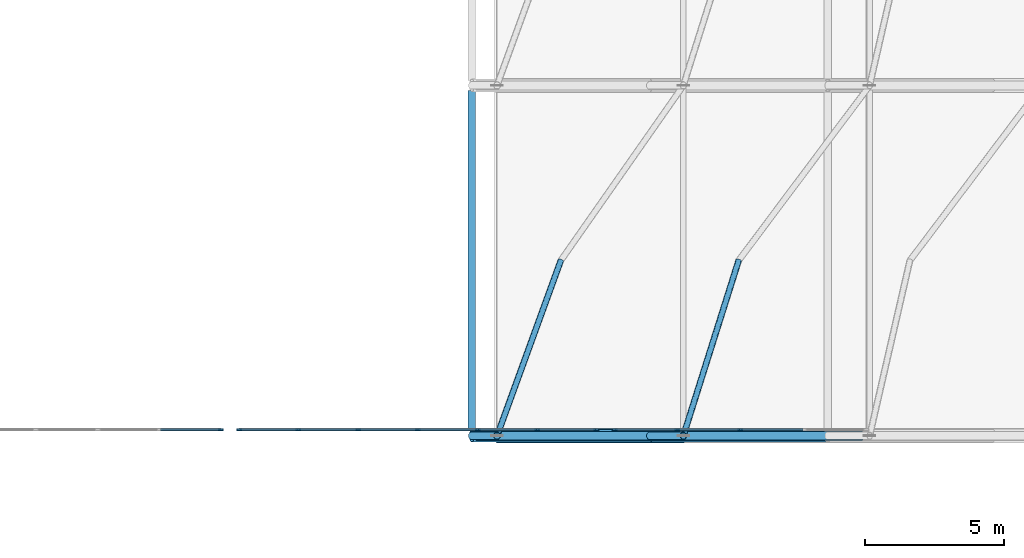
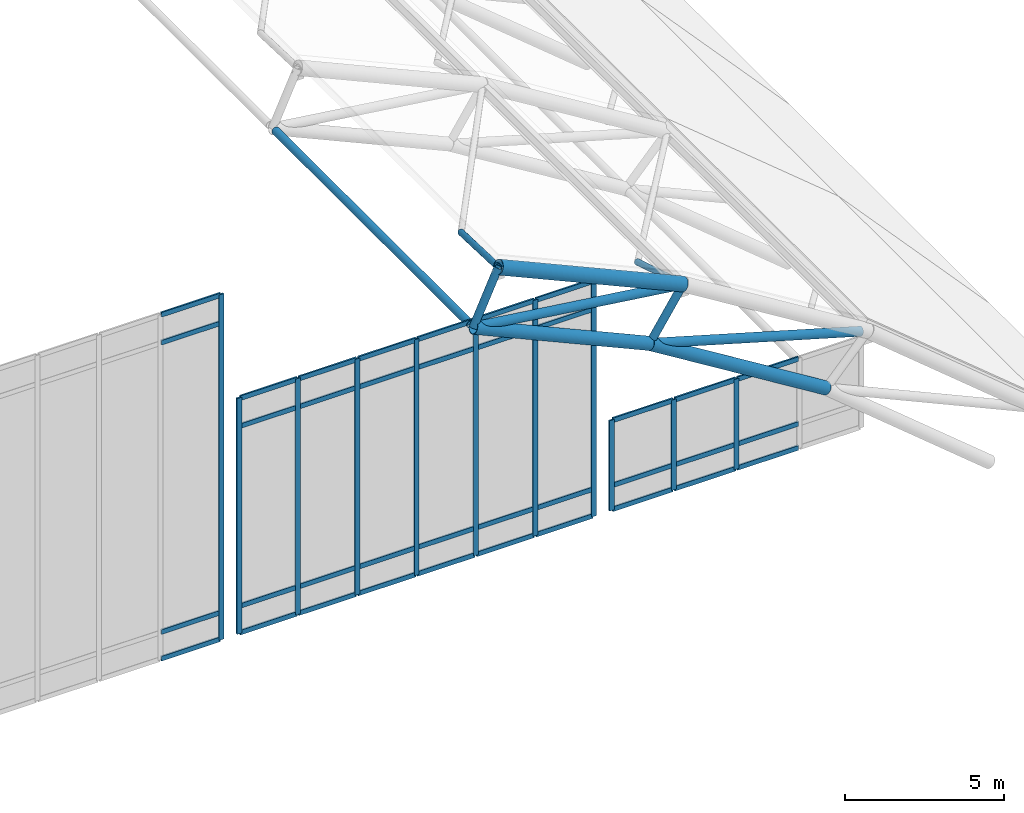
# One storey, part 10 of 42: 58 members, 3 elements without a shape of their own.
"""IFC4 building model written with IfcOpenShell, lengths in metres."""

from ifc_helpers import new_model, si_unit, derived_unit, direction, frame, origin, origin_2d, place, context, subcontext, project, spatial, rectangle, hollow_circle, extrude, material, layer, layer_set, material_profile, profile_set, type_object, element, aggregate, save


model = new_model("IFC4")

# Units and contexts
model_context = context("Model", 3, precision=1e-05, world=origin(), true_north=direction((0.0, 1.0)))
body_context = subcontext(model_context, "Body", "Model", "MODEL_VIEW")
ifc_project = project(units=[si_unit("LENGTHUNIT", "METRE"), si_unit("AREAUNIT", "SQUARE_METRE"), si_unit("VOLUMEUNIT", "CUBIC_METRE"), si_unit("PLANEANGLEUNIT", "RADIAN"), si_unit("MASSUNIT", "GRAM", prefix="KILO"), derived_unit("THERMALTRANSMITTANCEUNIT", [(si_unit("MASSUNIT", "GRAM", prefix="KILO"), 1), (si_unit("TIMEUNIT", "SECOND"), -3), (si_unit("THERMODYNAMICTEMPERATUREUNIT", "KELVIN"), -1)])], contexts=[model_context])

# Site, building, storey
site_placement = place(None, origin())
site = spatial("IfcSite", under=ifc_project, at=site_placement, CompositionType="ELEMENT")
building_placement = place(site_placement, origin())
building = spatial("IfcBuilding", under=site, at=building_placement, Name="Valcora Ridge Arena", CompositionType="ELEMENT")
storey_placement = place(building_placement, frame((0.0, 0.0, 26.39990234375)))
storey = spatial("IfcBuildingStorey", under=building, at=storey_placement, Name="L05", CompositionType="ELEMENT", Elevation=26.39990234375)

# Curtain wall, member
ifc_material_1 = material(Name="Anodised dark bronze architectural aluminium 6063-T6", Category="aluminium")
ifc_layer_1 = layer(ifc_material_1, 0.179931640625, Name="Anodised dark bronze architectural aluminium 6063-T6")
ifc_layer_set_1 = layer_set([ifc_layer_1], Name="Anodised dark bronze architectural aluminium 6063-T6")
curtain_wall_type_1 = type_object("IfcCurtainWallType", Name="TY-CURTAINWALL-CW-V1-TYMPS-134X132", PredefinedType="NOTDEFINED", material=ifc_layer_set_1)
curtain_wall_1_placement = place(storey_placement, origin())
curtain_wall_1 = element("IfcCurtainWall", 1, at=curtain_wall_1_placement, inside=storey, type_object=curtain_wall_type_1, Name="CW-V1-TYMPS-134X132 CW-0174", PredefinedType="NOTDEFINED")
ifc_material_profile_1 = material_profile(ifc_material_1, rectangle(XDim=0.06005859375, YDim=0.179931640625, at=origin_2d()), Name="ALU MULLION 60x180")
ifc_profile_set_1 = profile_set([ifc_material_profile_1], Name="Anodised dark bronze architectural aluminium 6063-T6")
member_type_1 = type_object("IfcMemberType", Name="TY-MEM-CWM-60x180", PredefinedType="MULLION", material=ifc_profile_set_1)
member_1_placement = place(storey_placement, frame((65.969970703125, 20.219970703125, 0.0), z_axis=(0.0, 0.0, 1.0), x_axis=(0.0, 1.0, 0.0)))
member_1 = element("IfcMember", 2, at=member_1_placement, type_object=member_type_1, Name="CW-0174/CWM-60x180/M06", PredefinedType="MULLION", context=body_context, shape_type="SweptSolid", body=[
    extrude(rectangle(XDim=0.06005859375, YDim=0.179931640625, at=origin_2d()), origin(), (0.0, 0.0, 1.0), 13.239990234375),
])

# Curtain wall, members
ifc_layer_2 = layer(ifc_material_1, 0.179931640625, Name="Anodised dark bronze architectural aluminium 6063-T6")
ifc_layer_set_2 = layer_set([ifc_layer_2], Name="Anodised dark bronze architectural aluminium 6063-T6")
curtain_wall_type_2 = type_object("IfcCurtainWallType", Name="TY-CURTAINWALL-CW-V1-TYMPS-129X90", PredefinedType="NOTDEFINED", material=ifc_layer_set_2)
curtain_wall_2_placement = place(storey_placement, origin())
curtain_wall_2 = element("IfcCurtainWall", 3, at=curtain_wall_2_placement, inside=storey, type_object=curtain_wall_type_2, Name="CW-V1-TYMPS-129X90 CW-0176", PredefinedType="NOTDEFINED")
member_2_placement = place(storey_placement, frame((66.6298828125, 20.219970703125, 0.0), z_axis=(0.0, 0.0, 1.0), x_axis=(0.0, 1.0, 0.0)))
member_2 = element("IfcMember", 4, at=member_2_placement, type_object=member_type_1, Name="CW-0176/CWM-60x180/M00", PredefinedType="MULLION", context=body_context, shape_type="SweptSolid", body=[
    extrude(rectangle(XDim=0.06005859375, YDim=0.179931640625, at=origin_2d()), origin(), (0.0, 0.0, 1.0), 9.04296875),
])
member_3_placement = place(storey_placement, frame((68.75, 20.219970703125, 0.0), z_axis=(0.0, 0.0, 1.0), x_axis=(0.0, 1.0, 0.0)))
member_3 = element("IfcMember", 5, at=member_3_placement, type_object=member_type_1, Name="CW-0176/CWM-60x180/M01", PredefinedType="MULLION", context=body_context, shape_type="SweptSolid", body=[
    extrude(rectangle(XDim=0.06005859375, YDim=0.179931640625, at=origin_2d()), origin(), (0.0, 0.0, 1.0), 9.04296875),
])
member_4_placement = place(storey_placement, frame((70.89990234375, 20.219970703125, 0.0), z_axis=(0.0, 0.0, 1.0), x_axis=(0.0, 1.0, 0.0)))
member_4 = element("IfcMember", 6, at=member_4_placement, type_object=member_type_1, Name="CW-0176/CWM-60x180/M02", PredefinedType="MULLION", context=body_context, shape_type="SweptSolid", body=[
    extrude(rectangle(XDim=0.06005859375, YDim=0.179931640625, at=origin_2d()), origin(), (0.0, 0.0, 1.0), 9.04296875),
])
member_5_placement = place(storey_placement, frame((73.050048828125, 20.219970703125, 0.0), z_axis=(0.0, 0.0, 1.0), x_axis=(0.0, 1.0, 0.0)))
member_5 = element("IfcMember", 7, at=member_5_placement, type_object=member_type_1, Name="CW-0176/CWM-60x180/M03", PredefinedType="MULLION", context=body_context, shape_type="SweptSolid", body=[
    extrude(rectangle(XDim=0.06005859375, YDim=0.179931640625, at=origin_2d()), origin(), (0.0, 0.0, 1.0), 9.04296875),
])
member_6_placement = place(storey_placement, frame((75.199951171875, 20.219970703125, 0.0), z_axis=(0.0, 0.0, 1.0), x_axis=(0.0, 1.0, 0.0)))
member_6 = element("IfcMember", 8, at=member_6_placement, type_object=member_type_1, Name="CW-0176/CWM-60x180/M04", PredefinedType="MULLION", context=body_context, shape_type="SweptSolid", body=[
    extrude(rectangle(XDim=0.06005859375, YDim=0.179931640625, at=origin_2d()), origin(), (0.0, 0.0, 1.0), 9.04296875),
])
member_7_placement = place(storey_placement, frame((77.35009765625, 20.219970703125, 0.0), z_axis=(0.0, 0.0, 1.0), x_axis=(0.0, 1.0, 0.0)))
member_7 = element("IfcMember", 9, at=member_7_placement, type_object=member_type_1, Name="CW-0176/CWM-60x180/M05", PredefinedType="MULLION", context=body_context, shape_type="SweptSolid", body=[
    extrude(rectangle(XDim=0.06005859375, YDim=0.179931640625, at=origin_2d()), origin(), (0.0, 0.0, 1.0), 9.04296875),
])
member_8_placement = place(storey_placement, frame((79.469970703125, 20.219970703125, 0.0), z_axis=(0.0, 0.0, 1.0), x_axis=(0.0, 1.0, 0.0)))
member_8 = element("IfcMember", 10, at=member_8_placement, type_object=member_type_1, Name="CW-0176/CWM-60x180/M06", PredefinedType="MULLION", context=body_context, shape_type="SweptSolid", body=[
    extrude(rectangle(XDim=0.06005859375, YDim=0.179931640625, at=origin_2d()), origin(), (0.0, 0.0, 1.0), 9.04296875),
])

ifc_layer_3 = layer(ifc_material_1, 0.179931640625, Name="Anodised dark bronze architectural aluminium 6063-T6")
ifc_layer_set_3 = layer_set([ifc_layer_3], Name="Anodised dark bronze architectural aluminium 6063-T6")
curtain_wall_type_3 = type_object("IfcCurtainWallType", Name="TY-CURTAINWALL-CW-V1-TYMPS-091X35", PredefinedType="NOTDEFINED", material=ifc_layer_set_3)
curtain_wall_3_placement = place(storey_placement, origin())
curtain_wall_3 = element("IfcCurtainWall", 11, at=curtain_wall_3_placement, inside=storey, type_object=curtain_wall_type_3, Name="CW-V1-TYMPS-091X35 CW-0178", PredefinedType="NOTDEFINED")
member_9_placement = place(storey_placement, frame((80.1298828125, 20.219970703125, 0.0), z_axis=(0.0, 0.0, 1.0), x_axis=(0.0, 1.0, 0.0)))
member_9 = element("IfcMember", 12, at=member_9_placement, type_object=member_type_1, Name="CW-0178/CWM-60x180/M00", PredefinedType="MULLION", context=body_context, shape_type="SweptSolid", body=[
    extrude(rectangle(XDim=0.06005859375, YDim=0.179931640625, at=origin_2d()), origin(), (0.0, 0.0, 1.0), 3.461669921875),
])
member_10_placement = place(storey_placement, frame((82.375, 20.219970703125, 0.0), z_axis=(0.0, 0.0, 1.0), x_axis=(0.0, 1.0, 0.0)))
member_10 = element("IfcMember", 13, at=member_10_placement, type_object=member_type_1, Name="CW-0178/CWM-60x180/M01", PredefinedType="MULLION", context=body_context, shape_type="SweptSolid", body=[
    extrude(rectangle(XDim=0.06005859375, YDim=0.179931640625, at=origin_2d()), origin(), (0.0, 0.0, 1.0), 3.461669921875),
])
member_11_placement = place(storey_placement, frame((84.64990234375, 20.219970703125, 0.0), z_axis=(0.0, 0.0, 1.0), x_axis=(0.0, 1.0, 0.0)))
member_11 = element("IfcMember", 14, at=member_11_placement, type_object=member_type_1, Name="CW-0178/CWM-60x180/M02", PredefinedType="MULLION", context=body_context, shape_type="SweptSolid", body=[
    extrude(rectangle(XDim=0.06005859375, YDim=0.179931640625, at=origin_2d()), origin(), (0.0, 0.0, 1.0), 3.461669921875),
])

# Member
ifc_material_profile_2 = material_profile(ifc_material_1, rectangle(XDim=0.06005859375, YDim=0.179931640625, at=origin_2d()), Name="ALU TRANSOM 60x180")
ifc_profile_set_2 = profile_set([ifc_material_profile_2], Name="Anodised dark bronze architectural aluminium 6063-T6")
member_type_2 = type_object("IfcMemberType", Name="TY-MEM-CWT-60x180", PredefinedType="USERDEFINED", material=ifc_profile_set_2)
member_12_placement = place(storey_placement, frame((63.797119140625, 20.219970703125, 0.030029296875), z_axis=(1.0, 0.0, 0.0), x_axis=(0.0, 1.0, 0.0)))
member_12 = element("IfcMember", 15, at=member_12_placement, type_object=member_type_2, Name="CW-0174/CWT-60x180/T05-00", ObjectType="TRANSOM", PredefinedType="USERDEFINED", context=body_context, shape_type="SweptSolid", body=[
    extrude(rectangle(XDim=0.06005859375, YDim=0.179931640625, at=origin_2d()), origin(), (0.0, 0.0, 1.0), 2.142822265625),
])

member_13_placement = place(storey_placement, frame((63.797119140625, 20.219970703125, 1.050048828125), z_axis=(1.0, 0.0, 0.0), x_axis=(0.0, 1.0, 0.0)))
member_13 = element("IfcMember", 16, at=member_13_placement, type_object=member_type_2, Name="CW-0174/CWT-60x180/T05-01", ObjectType="TRANSOM", PredefinedType="USERDEFINED", context=body_context, shape_type="SweptSolid", body=[
    extrude(rectangle(XDim=0.06005859375, YDim=0.179931640625, at=origin_2d()), origin(), (0.0, 0.0, 1.0), 2.142822265625),
])

member_14_placement = place(storey_placement, frame((63.797119140625, 20.219970703125, 12.139892578125), z_axis=(1.0, 0.0, 0.0), x_axis=(0.0, 1.0, 0.0)))
member_14 = element("IfcMember", 17, at=member_14_placement, type_object=member_type_2, Name="CW-0174/CWT-60x180/T05-02", ObjectType="TRANSOM", PredefinedType="USERDEFINED", context=body_context, shape_type="SweptSolid", body=[
    extrude(rectangle(XDim=0.06005859375, YDim=0.179931640625, at=origin_2d()), origin(), (0.0, 0.0, 1.0), 2.142822265625),
])

member_15_placement = place(storey_placement, frame((63.797119140625, 20.219970703125, 13.2099609375), z_axis=(1.0, 0.0, 0.0), x_axis=(0.0, 1.0, 0.0)))
member_15 = element("IfcMember", 18, at=member_15_placement, type_object=member_type_2, Name="CW-0174/CWT-60x180/T05-03", ObjectType="TRANSOM", PredefinedType="USERDEFINED", context=body_context, shape_type="SweptSolid", body=[
    extrude(rectangle(XDim=0.06005859375, YDim=0.179931640625, at=origin_2d()), origin(), (0.0, 0.0, 1.0), 2.142822265625),
])

aggregate(curtain_wall_1, [member_1, member_12, member_13, member_14, member_15])

member_16_placement = place(storey_placement, frame((66.659912109375, 20.219970703125, 0.030029296875), z_axis=(1.0, 0.0, 0.0), x_axis=(0.0, 1.0, 0.0)))
member_16 = element("IfcMember", 19, at=member_16_placement, type_object=member_type_2, Name="CW-0176/CWT-60x180/T00-00", ObjectType="TRANSOM", PredefinedType="USERDEFINED", context=body_context, shape_type="SweptSolid", body=[
    extrude(rectangle(XDim=0.06005859375, YDim=0.179931640625, at=origin_2d()), origin(), (0.0, 0.0, 1.0), 2.06005859375),
])

member_17_placement = place(storey_placement, frame((66.659912109375, 20.219970703125, 1.050048828125), z_axis=(1.0, 0.0, 0.0), x_axis=(0.0, 1.0, 0.0)))
member_17 = element("IfcMember", 20, at=member_17_placement, type_object=member_type_2, Name="CW-0176/CWT-60x180/T00-01", ObjectType="TRANSOM", PredefinedType="USERDEFINED", context=body_context, shape_type="SweptSolid", body=[
    extrude(rectangle(XDim=0.06005859375, YDim=0.179931640625, at=origin_2d()), origin(), (0.0, 0.0, 1.0), 2.06005859375),
])

member_18_placement = place(storey_placement, frame((66.659912109375, 20.219970703125, 7.94287109375), z_axis=(1.0, 0.0, 0.0), x_axis=(0.0, 1.0, 0.0)))
member_18 = element("IfcMember", 21, at=member_18_placement, type_object=member_type_2, Name="CW-0176/CWT-60x180/T00-02", ObjectType="TRANSOM", PredefinedType="USERDEFINED", context=body_context, shape_type="SweptSolid", body=[
    extrude(rectangle(XDim=0.06005859375, YDim=0.179931640625, at=origin_2d()), origin(), (0.0, 0.0, 1.0), 2.06005859375),
])

member_19_placement = place(storey_placement, frame((66.659912109375, 20.219970703125, 9.012939453125), z_axis=(1.0, 0.0, 0.0), x_axis=(0.0, 1.0, 0.0)))
member_19 = element("IfcMember", 22, at=member_19_placement, type_object=member_type_2, Name="CW-0176/CWT-60x180/T00-03", ObjectType="TRANSOM", PredefinedType="USERDEFINED", context=body_context, shape_type="SweptSolid", body=[
    extrude(rectangle(XDim=0.06005859375, YDim=0.179931640625, at=origin_2d()), origin(), (0.0, 0.0, 1.0), 2.06005859375),
])

member_20_placement = place(storey_placement, frame((68.780029296875, 20.219970703125, 0.030029296875), z_axis=(1.0, 0.0, 0.0), x_axis=(0.0, 1.0, 0.0)))
member_20 = element("IfcMember", 23, at=member_20_placement, type_object=member_type_2, Name="CW-0176/CWT-60x180/T01-00", ObjectType="TRANSOM", PredefinedType="USERDEFINED", context=body_context, shape_type="SweptSolid", body=[
    extrude(rectangle(XDim=0.06005859375, YDim=0.179931640625, at=origin_2d()), origin(), (0.0, 0.0, 1.0), 2.090087890625),
])

member_21_placement = place(storey_placement, frame((68.780029296875, 20.219970703125, 1.050048828125), z_axis=(1.0, 0.0, 0.0), x_axis=(0.0, 1.0, 0.0)))
member_21 = element("IfcMember", 24, at=member_21_placement, type_object=member_type_2, Name="CW-0176/CWT-60x180/T01-01", ObjectType="TRANSOM", PredefinedType="USERDEFINED", context=body_context, shape_type="SweptSolid", body=[
    extrude(rectangle(XDim=0.06005859375, YDim=0.179931640625, at=origin_2d()), origin(), (0.0, 0.0, 1.0), 2.090087890625),
])

member_22_placement = place(storey_placement, frame((68.780029296875, 20.219970703125, 7.94287109375), z_axis=(1.0, 0.0, 0.0), x_axis=(0.0, 1.0, 0.0)))
member_22 = element("IfcMember", 25, at=member_22_placement, type_object=member_type_2, Name="CW-0176/CWT-60x180/T01-02", ObjectType="TRANSOM", PredefinedType="USERDEFINED", context=body_context, shape_type="SweptSolid", body=[
    extrude(rectangle(XDim=0.06005859375, YDim=0.179931640625, at=origin_2d()), origin(), (0.0, 0.0, 1.0), 2.090087890625),
])

member_23_placement = place(storey_placement, frame((68.780029296875, 20.219970703125, 9.012939453125), z_axis=(1.0, 0.0, 0.0), x_axis=(0.0, 1.0, 0.0)))
member_23 = element("IfcMember", 26, at=member_23_placement, type_object=member_type_2, Name="CW-0176/CWT-60x180/T01-03", ObjectType="TRANSOM", PredefinedType="USERDEFINED", context=body_context, shape_type="SweptSolid", body=[
    extrude(rectangle(XDim=0.06005859375, YDim=0.179931640625, at=origin_2d()), origin(), (0.0, 0.0, 1.0), 2.090087890625),
])

member_24_placement = place(storey_placement, frame((70.929931640625, 20.219970703125, 0.030029296875), z_axis=(1.0, 0.0, 0.0), x_axis=(0.0, 1.0, 0.0)))
member_24 = element("IfcMember", 27, at=member_24_placement, type_object=member_type_2, Name="CW-0176/CWT-60x180/T02-00", ObjectType="TRANSOM", PredefinedType="USERDEFINED", context=body_context, shape_type="SweptSolid", body=[
    extrude(rectangle(XDim=0.06005859375, YDim=0.179931640625, at=origin_2d()), origin(), (0.0, 0.0, 1.0), 2.090087890625),
])

member_25_placement = place(storey_placement, frame((70.929931640625, 20.219970703125, 1.050048828125), z_axis=(1.0, 0.0, 0.0), x_axis=(0.0, 1.0, 0.0)))
member_25 = element("IfcMember", 28, at=member_25_placement, type_object=member_type_2, Name="CW-0176/CWT-60x180/T02-01", ObjectType="TRANSOM", PredefinedType="USERDEFINED", context=body_context, shape_type="SweptSolid", body=[
    extrude(rectangle(XDim=0.06005859375, YDim=0.179931640625, at=origin_2d()), origin(), (0.0, 0.0, 1.0), 2.090087890625),
])

member_26_placement = place(storey_placement, frame((70.929931640625, 20.219970703125, 7.94287109375), z_axis=(1.0, 0.0, 0.0), x_axis=(0.0, 1.0, 0.0)))
member_26 = element("IfcMember", 29, at=member_26_placement, type_object=member_type_2, Name="CW-0176/CWT-60x180/T02-02", ObjectType="TRANSOM", PredefinedType="USERDEFINED", context=body_context, shape_type="SweptSolid", body=[
    extrude(rectangle(XDim=0.06005859375, YDim=0.179931640625, at=origin_2d()), origin(), (0.0, 0.0, 1.0), 2.090087890625),
])

member_27_placement = place(storey_placement, frame((70.929931640625, 20.219970703125, 9.012939453125), z_axis=(1.0, 0.0, 0.0), x_axis=(0.0, 1.0, 0.0)))
member_27 = element("IfcMember", 30, at=member_27_placement, type_object=member_type_2, Name="CW-0176/CWT-60x180/T02-03", ObjectType="TRANSOM", PredefinedType="USERDEFINED", context=body_context, shape_type="SweptSolid", body=[
    extrude(rectangle(XDim=0.06005859375, YDim=0.179931640625, at=origin_2d()), origin(), (0.0, 0.0, 1.0), 2.090087890625),
])

member_28_placement = place(storey_placement, frame((73.080078125, 20.219970703125, 0.030029296875), z_axis=(1.0, 0.0, 0.0), x_axis=(0.0, 1.0, 0.0)))
member_28 = element("IfcMember", 31, at=member_28_placement, type_object=member_type_2, Name="CW-0176/CWT-60x180/T03-00", ObjectType="TRANSOM", PredefinedType="USERDEFINED", context=body_context, shape_type="SweptSolid", body=[
    extrude(rectangle(XDim=0.06005859375, YDim=0.179931640625, at=origin_2d()), origin(), (0.0, 0.0, 1.0), 2.08984375),
])

member_29_placement = place(storey_placement, frame((73.080078125, 20.219970703125, 1.050048828125), z_axis=(1.0, 0.0, 0.0), x_axis=(0.0, 1.0, 0.0)))
member_29 = element("IfcMember", 32, at=member_29_placement, type_object=member_type_2, Name="CW-0176/CWT-60x180/T03-01", ObjectType="TRANSOM", PredefinedType="USERDEFINED", context=body_context, shape_type="SweptSolid", body=[
    extrude(rectangle(XDim=0.06005859375, YDim=0.179931640625, at=origin_2d()), origin(), (0.0, 0.0, 1.0), 2.08984375),
])

member_30_placement = place(storey_placement, frame((73.080078125, 20.219970703125, 7.94287109375), z_axis=(1.0, 0.0, 0.0), x_axis=(0.0, 1.0, 0.0)))
member_30 = element("IfcMember", 33, at=member_30_placement, type_object=member_type_2, Name="CW-0176/CWT-60x180/T03-02", ObjectType="TRANSOM", PredefinedType="USERDEFINED", context=body_context, shape_type="SweptSolid", body=[
    extrude(rectangle(XDim=0.06005859375, YDim=0.179931640625, at=origin_2d()), origin(), (0.0, 0.0, 1.0), 2.08984375),
])

member_31_placement = place(storey_placement, frame((73.080078125, 20.219970703125, 9.012939453125), z_axis=(1.0, 0.0, 0.0), x_axis=(0.0, 1.0, 0.0)))
member_31 = element("IfcMember", 34, at=member_31_placement, type_object=member_type_2, Name="CW-0176/CWT-60x180/T03-03", ObjectType="TRANSOM", PredefinedType="USERDEFINED", context=body_context, shape_type="SweptSolid", body=[
    extrude(rectangle(XDim=0.06005859375, YDim=0.179931640625, at=origin_2d()), origin(), (0.0, 0.0, 1.0), 2.08984375),
])

member_32_placement = place(storey_placement, frame((75.22998046875, 20.219970703125, 0.030029296875), z_axis=(1.0, 0.0, 0.0), x_axis=(0.0, 1.0, 0.0)))
member_32 = element("IfcMember", 35, at=member_32_placement, type_object=member_type_2, Name="CW-0176/CWT-60x180/T04-00", ObjectType="TRANSOM", PredefinedType="USERDEFINED", context=body_context, shape_type="SweptSolid", body=[
    extrude(rectangle(XDim=0.06005859375, YDim=0.179931640625, at=origin_2d()), origin(), (0.0, 0.0, 1.0), 2.090087890625),
])

member_33_placement = place(storey_placement, frame((75.22998046875, 20.219970703125, 1.050048828125), z_axis=(1.0, 0.0, 0.0), x_axis=(0.0, 1.0, 0.0)))
member_33 = element("IfcMember", 36, at=member_33_placement, type_object=member_type_2, Name="CW-0176/CWT-60x180/T04-01", ObjectType="TRANSOM", PredefinedType="USERDEFINED", context=body_context, shape_type="SweptSolid", body=[
    extrude(rectangle(XDim=0.06005859375, YDim=0.179931640625, at=origin_2d()), origin(), (0.0, 0.0, 1.0), 2.090087890625),
])

member_34_placement = place(storey_placement, frame((75.22998046875, 20.219970703125, 7.94287109375), z_axis=(1.0, 0.0, 0.0), x_axis=(0.0, 1.0, 0.0)))
member_34 = element("IfcMember", 37, at=member_34_placement, type_object=member_type_2, Name="CW-0176/CWT-60x180/T04-02", ObjectType="TRANSOM", PredefinedType="USERDEFINED", context=body_context, shape_type="SweptSolid", body=[
    extrude(rectangle(XDim=0.06005859375, YDim=0.179931640625, at=origin_2d()), origin(), (0.0, 0.0, 1.0), 2.090087890625),
])

member_35_placement = place(storey_placement, frame((75.22998046875, 20.219970703125, 9.012939453125), z_axis=(1.0, 0.0, 0.0), x_axis=(0.0, 1.0, 0.0)))
member_35 = element("IfcMember", 38, at=member_35_placement, type_object=member_type_2, Name="CW-0176/CWT-60x180/T04-03", ObjectType="TRANSOM", PredefinedType="USERDEFINED", context=body_context, shape_type="SweptSolid", body=[
    extrude(rectangle(XDim=0.06005859375, YDim=0.179931640625, at=origin_2d()), origin(), (0.0, 0.0, 1.0), 2.090087890625),
])

member_36_placement = place(storey_placement, frame((77.3798828125, 20.219970703125, 0.030029296875), z_axis=(1.0, 0.0, 0.0), x_axis=(0.0, 1.0, 0.0)))
member_36 = element("IfcMember", 39, at=member_36_placement, type_object=member_type_2, Name="CW-0176/CWT-60x180/T05-00", ObjectType="TRANSOM", PredefinedType="USERDEFINED", context=body_context, shape_type="SweptSolid", body=[
    extrude(rectangle(XDim=0.06005859375, YDim=0.179931640625, at=origin_2d()), origin(), (0.0, 0.0, 1.0), 2.06005859375),
])

member_37_placement = place(storey_placement, frame((77.3798828125, 20.219970703125, 1.050048828125), z_axis=(1.0, 0.0, 0.0), x_axis=(0.0, 1.0, 0.0)))
member_37 = element("IfcMember", 40, at=member_37_placement, type_object=member_type_2, Name="CW-0176/CWT-60x180/T05-01", ObjectType="TRANSOM", PredefinedType="USERDEFINED", context=body_context, shape_type="SweptSolid", body=[
    extrude(rectangle(XDim=0.06005859375, YDim=0.179931640625, at=origin_2d()), origin(), (0.0, 0.0, 1.0), 2.06005859375),
])

member_38_placement = place(storey_placement, frame((77.3798828125, 20.219970703125, 7.94287109375), z_axis=(1.0, 0.0, 0.0), x_axis=(0.0, 1.0, 0.0)))
member_38 = element("IfcMember", 41, at=member_38_placement, type_object=member_type_2, Name="CW-0176/CWT-60x180/T05-02", ObjectType="TRANSOM", PredefinedType="USERDEFINED", context=body_context, shape_type="SweptSolid", body=[
    extrude(rectangle(XDim=0.06005859375, YDim=0.179931640625, at=origin_2d()), origin(), (0.0, 0.0, 1.0), 2.06005859375),
])

member_39_placement = place(storey_placement, frame((77.3798828125, 20.219970703125, 9.012939453125), z_axis=(1.0, 0.0, 0.0), x_axis=(0.0, 1.0, 0.0)))
member_39 = element("IfcMember", 42, at=member_39_placement, type_object=member_type_2, Name="CW-0176/CWT-60x180/T05-03", ObjectType="TRANSOM", PredefinedType="USERDEFINED", context=body_context, shape_type="SweptSolid", body=[
    extrude(rectangle(XDim=0.06005859375, YDim=0.179931640625, at=origin_2d()), origin(), (0.0, 0.0, 1.0), 2.06005859375),
])

aggregate(curtain_wall_2, [member_2, member_3, member_4, member_5, member_6, member_7, member_8, member_16, member_17, member_18, member_19, member_20, member_21, member_22, member_23, member_24, member_25, member_26, member_27, member_28, member_29, member_30, member_31, member_32, member_33, member_34, member_35, member_36, member_37, member_38, member_39])

member_40_placement = place(storey_placement, frame((80.159912109375, 20.219970703125, 0.030029296875), z_axis=(1.0, 0.0, 0.0), x_axis=(0.0, 1.0, 0.0)))
member_40 = element("IfcMember", 43, at=member_40_placement, type_object=member_type_2, Name="CW-0178/CWT-60x180/T00-00", ObjectType="TRANSOM", PredefinedType="USERDEFINED", context=body_context, shape_type="SweptSolid", body=[
    extrude(rectangle(XDim=0.06005859375, YDim=0.179931640625, at=origin_2d()), origin(), (0.0, 0.0, 1.0), 2.18505859375),
])

member_41_placement = place(storey_placement, frame((80.159912109375, 20.219970703125, 0.9501953125), z_axis=(1.0, 0.0, 0.0), x_axis=(0.0, 1.0, 0.0)))
member_41 = element("IfcMember", 44, at=member_41_placement, type_object=member_type_2, Name="CW-0178/CWT-60x180/T00-01", ObjectType="TRANSOM", PredefinedType="USERDEFINED", context=body_context, shape_type="SweptSolid", body=[
    extrude(rectangle(XDim=0.06005859375, YDim=0.179931640625, at=origin_2d()), origin(), (0.0, 0.0, 1.0), 2.18505859375),
])

member_42_placement = place(storey_placement, frame((80.159912109375, 20.219970703125, 3.431640625), z_axis=(1.0, 0.0, 0.0), x_axis=(0.0, 1.0, 0.0)))
member_42 = element("IfcMember", 45, at=member_42_placement, type_object=member_type_2, Name="CW-0178/CWT-60x180/T00-02", ObjectType="TRANSOM", PredefinedType="USERDEFINED", context=body_context, shape_type="SweptSolid", body=[
    extrude(rectangle(XDim=0.06005859375, YDim=0.179931640625, at=origin_2d()), origin(), (0.0, 0.0, 1.0), 2.18505859375),
])

member_43_placement = place(storey_placement, frame((82.405029296875, 20.219970703125, 0.030029296875), z_axis=(1.0, 0.0, 0.0), x_axis=(0.0, 1.0, 0.0)))
member_43 = element("IfcMember", 46, at=member_43_placement, type_object=member_type_2, Name="CW-0178/CWT-60x180/T01-00", ObjectType="TRANSOM", PredefinedType="USERDEFINED", context=body_context, shape_type="SweptSolid", body=[
    extrude(rectangle(XDim=0.06005859375, YDim=0.179931640625, at=origin_2d()), origin(), (0.0, 0.0, 1.0), 2.215087890625),
])

member_44_placement = place(storey_placement, frame((82.405029296875, 20.219970703125, 0.9501953125), z_axis=(1.0, 0.0, 0.0), x_axis=(0.0, 1.0, 0.0)))
member_44 = element("IfcMember", 47, at=member_44_placement, type_object=member_type_2, Name="CW-0178/CWT-60x180/T01-01", ObjectType="TRANSOM", PredefinedType="USERDEFINED", context=body_context, shape_type="SweptSolid", body=[
    extrude(rectangle(XDim=0.06005859375, YDim=0.179931640625, at=origin_2d()), origin(), (0.0, 0.0, 1.0), 2.215087890625),
])

member_45_placement = place(storey_placement, frame((82.405029296875, 20.219970703125, 3.431640625), z_axis=(1.0, 0.0, 0.0), x_axis=(0.0, 1.0, 0.0)))
member_45 = element("IfcMember", 48, at=member_45_placement, type_object=member_type_2, Name="CW-0178/CWT-60x180/T01-02", ObjectType="TRANSOM", PredefinedType="USERDEFINED", context=body_context, shape_type="SweptSolid", body=[
    extrude(rectangle(XDim=0.06005859375, YDim=0.179931640625, at=origin_2d()), origin(), (0.0, 0.0, 1.0), 2.215087890625),
])

member_46_placement = place(storey_placement, frame((84.679931640625, 20.219970703125, 0.030029296875), z_axis=(1.0, 0.0, 0.0), x_axis=(0.0, 1.0, 0.0)))
member_46 = element("IfcMember", 49, at=member_46_placement, type_object=member_type_2, Name="CW-0178/CWT-60x180/T02-00", ObjectType="TRANSOM", PredefinedType="USERDEFINED", context=body_context, shape_type="SweptSolid", body=[
    extrude(rectangle(XDim=0.06005859375, YDim=0.179931640625, at=origin_2d()), origin(), (0.0, 0.0, 1.0), 2.215087890625),
])

member_47_placement = place(storey_placement, frame((84.679931640625, 20.219970703125, 0.9501953125), z_axis=(1.0, 0.0, 0.0), x_axis=(0.0, 1.0, 0.0)))
member_47 = element("IfcMember", 50, at=member_47_placement, type_object=member_type_2, Name="CW-0178/CWT-60x180/T02-01", ObjectType="TRANSOM", PredefinedType="USERDEFINED", context=body_context, shape_type="SweptSolid", body=[
    extrude(rectangle(XDim=0.06005859375, YDim=0.179931640625, at=origin_2d()), origin(), (0.0, 0.0, 1.0), 2.215087890625),
])

member_48_placement = place(storey_placement, frame((84.679931640625, 20.219970703125, 3.431640625), z_axis=(1.0, 0.0, 0.0), x_axis=(0.0, 1.0, 0.0)))
member_48 = element("IfcMember", 51, at=member_48_placement, type_object=member_type_2, Name="CW-0178/CWT-60x180/T02-02", ObjectType="TRANSOM", PredefinedType="USERDEFINED", context=body_context, shape_type="SweptSolid", body=[
    extrude(rectangle(XDim=0.06005859375, YDim=0.179931640625, at=origin_2d()), origin(), (0.0, 0.0, 1.0), 2.215087890625),
])

aggregate(curtain_wall_3, [member_9, member_10, member_11, member_40, member_41, member_42, member_43, member_44, member_45, member_46, member_47, member_48])

# Members
ifc_material_2 = material(Name="Steel ASTM A500 Grade C", Category="steel")
ifc_material_profile_3 = material_profile(ifc_material_2, hollow_circle(Radius=0.228515625, WallThickness=0.01611328125, at=origin_2d()), Name="CHS457X16")
ifc_profile_set_3 = profile_set([ifc_material_profile_3], Name="Steel ASTM A500 Grade C")
member_type_3 = type_object("IfcMemberType", Name="TY-MEMBER-SFBC-457", PredefinedType="CHORD", material=ifc_profile_set_3)
member_49_placement = place(storey_placement, frame((74.99169921875, 20.0, 8.93994140625), z_axis=(0.912752630083, 0.0, -0.408512712502), x_axis=(0.0, 1.0, 0.0)))
element("IfcMember", 52, at=member_49_placement, inside=storey, type_object=member_type_3, Name="SFBC-457 Space Frame Bottom Chord", PredefinedType="CHORD", context=body_context, shape_type="SweptSolid", body=[
    extrude(hollow_circle(Radius=0.228515625, WallThickness=0.01611328125, at=origin_2d()), origin(), (0.0, 0.0, 1.0), 7.008544921875),
])
member_50_placement = place(storey_placement, frame((81.388671875, 20.0, 6.076904296875), z_axis=(0.850850087791, 0.0, -0.525408534481), x_axis=(0.0, 1.0, 0.0)))
element("IfcMember", 53, at=member_50_placement, inside=storey, type_object=member_type_3, Name="SFBC-457 Space Frame Bottom Chord", PredefinedType="CHORD", context=body_context, shape_type="SweptSolid", body=[
    extrude(hollow_circle(Radius=0.228515625, WallThickness=0.01611328125, at=origin_2d()), origin(), (0.0, 0.0, 1.0), 7.518310546875),
])
ifc_material_profile_4 = material_profile(ifc_material_2, hollow_circle(Radius=0.136474609375, WallThickness=0.012451171875, at=origin_2d()), Name="CHS273X12")
ifc_profile_set_4 = profile_set([ifc_material_profile_4], Name="Steel ASTM A500 Grade C")
member_type_4 = type_object("IfcMemberType", Name="TY-MEMBER-SFBT-273", PredefinedType="STRUT", material=ifc_profile_set_4)
member_51_placement = place(storey_placement, frame((74.99169921875, 20.179931640625, 8.93994140625), z_axis=(0.0, 1.0, 0.0), x_axis=(-1.0, 0.0, 0.0)))
element("IfcMember", 54, at=member_51_placement, inside=storey, type_object=member_type_4, Name="SFBT-273 Space Frame Bottom Strut", PredefinedType="STRUT", context=body_context, shape_type="SweptSolid", body=[
    extrude(hollow_circle(Radius=0.136474609375, WallThickness=0.012451171875, at=origin_2d()), origin(), (0.0, 0.0, 1.0), 12.239990234375),
])
ifc_material_profile_5 = material_profile(ifc_material_2, hollow_circle(Radius=0.136474609375, WallThickness=0.012451171875, at=origin_2d()), Name="CHS273X12")
ifc_profile_set_5 = profile_set([ifc_material_profile_5], Name="Steel ASTM A500 Grade C")
member_type_5 = type_object("IfcMemberType", Name="TY-MEMBER-SFKP-273", PredefinedType="POST", material=ifc_profile_set_5)
member_52_placement = place(storey_placement, frame((74.99169921875, 20.0, 8.93994140625), z_axis=(0.415865435042, 0.0, 0.909426159695), x_axis=(0.0, 1.0, 0.0)))
element("IfcMember", 55, at=member_52_placement, inside=storey, type_object=member_type_5, Name="SFKP-273 Space Frame King Post", PredefinedType="POST", context=body_context, shape_type="SweptSolid", body=[
    extrude(hollow_circle(Radius=0.136474609375, WallThickness=0.012451171875, at=origin_2d()), origin(), (0.0, 0.0, 1.0), 2.183837890625),
])
member_53_placement = place(storey_placement, frame((81.388671875, 20.0, 6.076904296875), z_axis=(0.547701322944, 0.0, 0.836673927432), x_axis=(0.0, 1.0, 0.0)))
element("IfcMember", 56, at=member_53_placement, inside=storey, type_object=member_type_5, Name="SFKP-273 Space Frame King Post", PredefinedType="POST", context=body_context, shape_type="SweptSolid", body=[
    extrude(hollow_circle(Radius=0.136474609375, WallThickness=0.012451171875, at=origin_2d()), origin(), (0.0, 0.0, 1.0), 2.2119140625),
])
ifc_material_profile_6 = material_profile(ifc_material_2, hollow_circle(Radius=0.109619140625, WallThickness=0.010009765625, at=origin_2d()), Name="CHS219X10")
ifc_profile_set_6 = profile_set([ifc_material_profile_6], Name="Steel ASTM A500 Grade C")
member_type_6 = type_object("IfcMemberType", Name="TY-MEMBER-SFST-219", PredefinedType="STRUT", material=ifc_profile_set_6)
member_54_placement = place(storey_placement, frame((78.190185546875, 26.300048828125, 7.631103515625), z_axis=(-0.306620501185, -0.843443346453, 0.441120379916), x_axis=(0.939824257237, -0.341658258366, 0.0)))
element("IfcMember", 57, at=member_54_placement, inside=storey, type_object=member_type_6, Name="SFST-219 Space Frame Tie Strut", PredefinedType="STRUT", context=body_context, shape_type="SweptSolid", body=[
    extrude(hollow_circle(Radius=0.109619140625, WallThickness=0.010009765625, at=origin_2d()), origin(), (0.0, 0.0, 1.0), 7.469482421875),
])
member_55_placement = place(storey_placement, frame((84.587158203125, 26.300048828125, 4.253173828125), z_axis=(-0.262870834688, -0.833441686831, 0.486080115745), x_axis=(0.953688172785, -0.300797056318, 0.0)))
element("IfcMember", 58, at=member_55_placement, inside=storey, type_object=member_type_6, Name="SFST-219 Space Frame Tie Strut", PredefinedType="STRUT", context=body_context, shape_type="SweptSolid", body=[
    extrude(hollow_circle(Radius=0.109619140625, WallThickness=0.010009765625, at=origin_2d()), origin(), (0.0, 0.0, 1.0), 7.55908203125),
])
ifc_material_profile_7 = material_profile(ifc_material_2, hollow_circle(Radius=0.25390625, WallThickness=0.01611328125, at=origin_2d()), Name="CHS508X16")
ifc_profile_set_7 = profile_set([ifc_material_profile_7], Name="Steel ASTM A500 Grade C")
member_type_7 = type_object("IfcMemberType", Name="TY-MEMBER-SFTC-508", PredefinedType="CHORD", material=ifc_profile_set_7)
member_56_placement = place(storey_placement, frame((75.89990234375, 20.0, 10.926025390625), z_axis=(0.912763432327, 0.0, -0.408488575858), x_axis=(0.0, 1.0, 0.0)))
element("IfcMember", 59, at=member_56_placement, inside=storey, type_object=member_type_7, Name="SFTC-508 Space Frame Top Chord", PredefinedType="CHORD", context=body_context, shape_type="SweptSolid", body=[
    extrude(hollow_circle(Radius=0.25390625, WallThickness=0.01611328125, at=origin_2d()), origin(), (0.0, 0.0, 1.0), 7.340576171875),
])
ifc_material_profile_8 = material_profile(ifc_material_2, hollow_circle(Radius=0.161865234375, WallThickness=0.012451171875, at=origin_2d()), Name="CHS323X12")
ifc_profile_set_8 = profile_set([ifc_material_profile_8], Name="Steel ASTM A500 Grade C")
member_type_8 = type_object("IfcMemberType", Name="TY-MEMBER-SFWB-323", PredefinedType="BRACE", material=ifc_profile_set_8)
member_57_placement = place(storey_placement, frame((75.150146484375, 20.0, 8.918701171875), z_axis=(0.99126352177, 0.0, -0.131896286561), x_axis=(0.0, 1.0, 0.0)))
element("IfcMember", 60, at=member_57_placement, inside=storey, type_object=member_type_8, Name="SFWB-323 Space Frame Diagonal Brace", PredefinedType="BRACE", context=body_context, shape_type="SweptSolid", body=[
    extrude(hollow_circle(Radius=0.161865234375, WallThickness=0.012451171875, at=origin_2d()), origin(), (0.0, 0.0, 1.0), 7.235595703125),
])
member_58_placement = place(storey_placement, frame((81.542236328125, 20.0, 6.03271484375), z_axis=(0.960667219721, 0.0, -0.277702165915), x_axis=(0.0, 1.0, 0.0)))
element("IfcMember", 61, at=member_58_placement, inside=storey, type_object=member_type_8, Name="SFWB-323 Space Frame Diagonal Brace", PredefinedType="BRACE", context=body_context, shape_type="SweptSolid", body=[
    extrude(hollow_circle(Radius=0.161865234375, WallThickness=0.012451171875, at=origin_2d()), origin(), (0.0, 0.0, 1.0), 7.79541015625),
])

save(model, "model.ifc")
